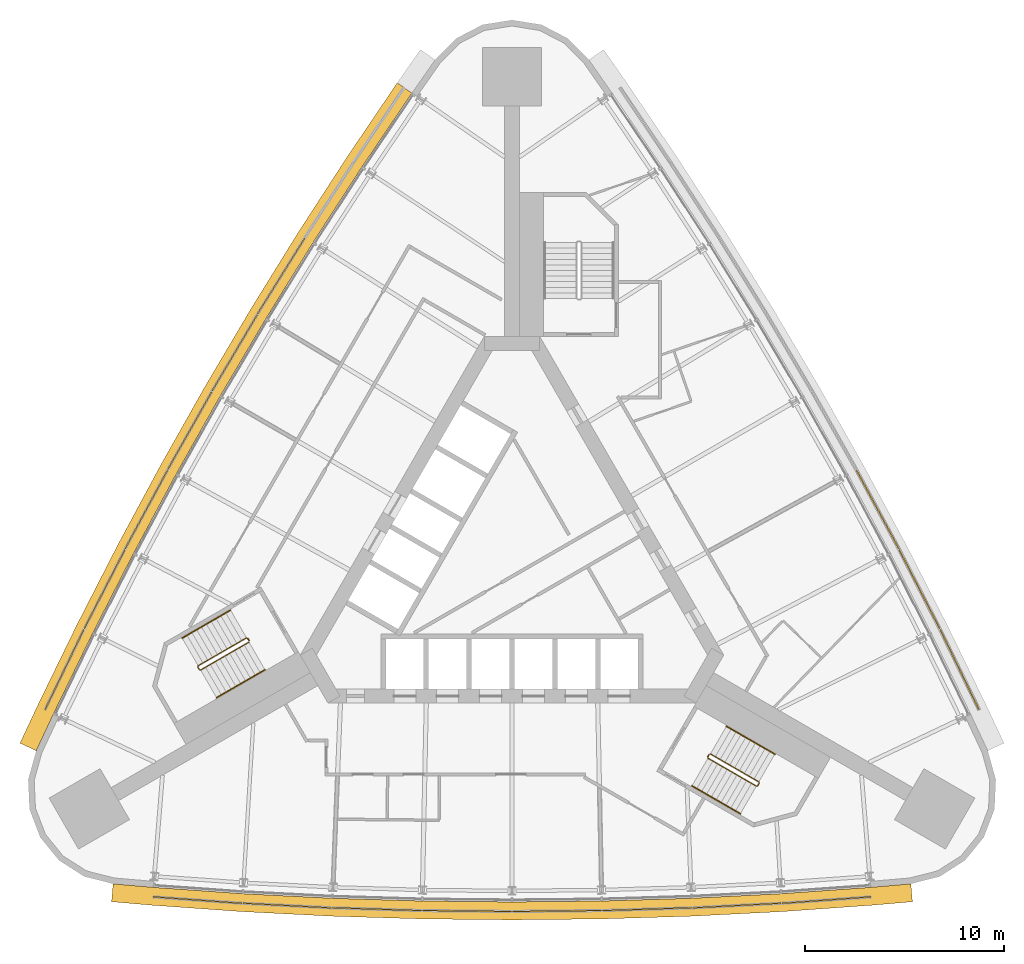
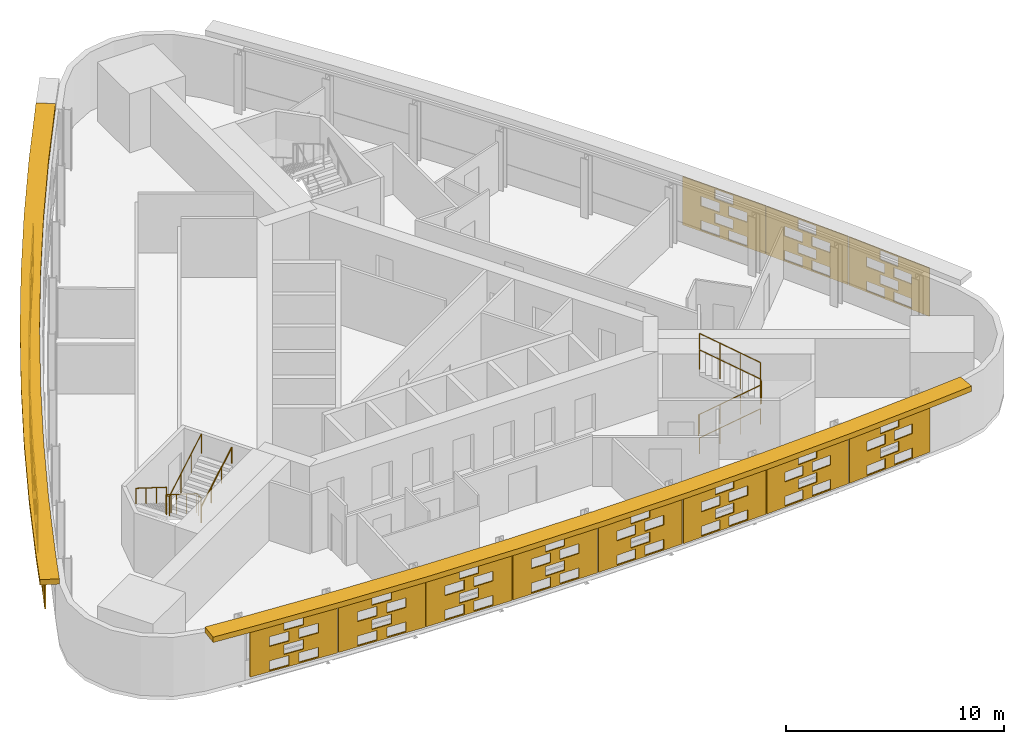
# One storey, part 10 of 11: 19 shading devices, 6 railings.
"""IFC4 building model written with IfcOpenShell, lengths in metres."""

from ifc_helpers import new_model, si_unit, direction, frame, origin, origin_2d, place, context, subcontext, project, spatial, polyline, circle, outline, extrude, material, material_profile, profile_set, type_object, element, save


model = new_model("IFC4")

# Units and contexts
model_context = context("Model", 3, precision=1e-05, world=origin(), true_north=direction((0.0, 1.0)))
body_context = subcontext(model_context, "Body", "Model", "MODEL_VIEW")
ifc_project = project(units=[si_unit("LENGTHUNIT", "METRE"), si_unit("AREAUNIT", "SQUARE_METRE"), si_unit("VOLUMEUNIT", "CUBIC_METRE"), si_unit("PLANEANGLEUNIT", "RADIAN"), si_unit("MASSUNIT", "GRAM", prefix="KILO")], contexts=[model_context])

# Site, building, storey
site_placement = place(None, origin())
site = spatial("IfcSite", under=ifc_project, at=site_placement, CompositionType="ELEMENT")
building_placement = place(site_placement, origin())
building = spatial("IfcBuilding", under=site, at=building_placement, Name="Noor Cloister Tower", CompositionType="ELEMENT")
storey_placement = place(building_placement, frame((0.0, 0.0, 123.89990234375)))
storey = spatial("IfcBuildingStorey", under=building, at=storey_placement, Name="L32", CompositionType="ELEMENT", Elevation=123.89990234375)

# Shading devices
ifc_material_1 = material(Name="Limestone", Category="masonry")
ifc_material_profile = material_profile(ifc_material_1, outline(polyline([(-2.22998046875, -1.35009765625), (2.22998046875, -1.35009765625), (2.22998046875, 1.35009765625), (-2.22998046875, 1.35009765625), (-2.22998046875, -1.35009765625)]), holes=[polyline([(-1.25, -1.282470703125), (-0.25, -1.282470703125), (-0.25, -0.742431640625), (-1.25, -0.742431640625), (-1.25, -1.282470703125)]), polyline([(0.25, -1.282470703125), (1.25, -1.282470703125), (1.25, -0.742431640625), (0.25, -0.742431640625), (0.25, -1.282470703125)]), polyline([(-0.5, -0.607421875), (0.5, -0.607421875), (0.5, -0.0673828125), (-0.5, -0.0673828125), (-0.5, -0.607421875)]), polyline([(-1.25, 0.0673828125), (-0.25, 0.0673828125), (-0.25, 0.607421875), (-1.25, 0.607421875), (-1.25, 0.0673828125)]), polyline([(0.25, 0.0673828125), (1.25, 0.0673828125), (1.25, 0.607421875), (0.25, 0.607421875), (0.25, 0.0673828125)]), polyline([(-0.5, 0.742431640625), (0.5, 0.742431640625), (0.5, 1.282470703125), (-0.5, 1.282470703125), (-0.5, 0.742431640625)])]), Name="Woven screen 30 percent open")
ifc_profile_set = profile_set([ifc_material_profile], Name="Limestone")
shading_device_type_1 = type_object("IfcShadingDeviceType", Name="SCREEN woven limestone 30 percent open", PredefinedType="USERDEFINED", material=ifc_profile_set)
shading_device_1_placement = place(storey_placement, frame((-11.544677734375, 14.4736328125, 1.85009765625), z_axis=(-0.849137590634, 0.528171707093, 0.0), x_axis=(-0.528171707093, -0.849137590634, 0.0)))
element("IfcShadingDevice", 1, at=shading_device_1_placement, inside=storey, type_object=shading_device_type_1, Name="SCREEN L32 3", ObjectType="SCREEN", PredefinedType="USERDEFINED", context=body_context, shape_type="SweptSolid", body=[
    extrude(outline(polyline([(-2.22998046875, -1.35009765625), (2.22998046875, -1.35009765625), (2.22998046875, 1.35009765625), (-2.22998046875, 1.35009765625), (-2.22998046875, -1.35009765625)]), holes=[polyline([(-1.25, -1.282470703125), (-0.25, -1.282470703125), (-0.25, -0.742431640625), (-1.25, -0.742431640625), (-1.25, -1.282470703125)]), polyline([(0.25, -1.282470703125), (1.25, -1.282470703125), (1.25, -0.742431640625), (0.25, -0.742431640625), (0.25, -1.282470703125)]), polyline([(-0.5, -0.607421875), (0.5, -0.607421875), (0.5, -0.0673828125), (-0.5, -0.0673828125), (-0.5, -0.607421875)]), polyline([(-1.25, 0.0673828125), (-0.25, 0.0673828125), (-0.25, 0.607421875), (-1.25, 0.607421875), (-1.25, 0.0673828125)]), polyline([(0.25, 0.0673828125), (1.25, 0.0673828125), (1.25, 0.607421875), (0.25, 0.607421875), (0.25, 0.0673828125)]), polyline([(-0.5, 0.742431640625), (0.5, 0.742431640625), (0.5, 1.282470703125), (-0.5, 1.282470703125), (-0.5, 0.742431640625)])]), origin(), (0.0, 0.0, 1.0), 0.06005859375),
])
shading_device_2_placement = place(storey_placement, frame((-13.8779296875, 10.615478515625, 1.85009765625), z_axis=(-0.860357760281, 0.50969061628, 0.0), x_axis=(-0.50969061628, -0.860357760281, 0.0)))
element("IfcShadingDevice", 2, at=shading_device_2_placement, inside=storey, type_object=shading_device_type_1, Name="SCREEN L32 4", ObjectType="SCREEN", PredefinedType="USERDEFINED", context=body_context, shape_type="SweptSolid", body=[
    extrude(outline(polyline([(-2.22998046875, -1.35009765625), (2.22998046875, -1.35009765625), (2.22998046875, 1.35009765625), (-2.22998046875, 1.35009765625), (-2.22998046875, -1.35009765625)]), holes=[polyline([(-1.25, -1.282470703125), (-0.25, -1.282470703125), (-0.25, -0.742431640625), (-1.25, -0.742431640625), (-1.25, -1.282470703125)]), polyline([(0.25, -1.282470703125), (1.25, -1.282470703125), (1.25, -0.742431640625), (0.25, -0.742431640625), (0.25, -1.282470703125)]), polyline([(-0.5, -0.607421875), (0.5, -0.607421875), (0.5, -0.0673828125), (-0.5, -0.0673828125), (-0.5, -0.607421875)]), polyline([(-1.25, 0.0673828125), (-0.25, 0.0673828125), (-0.25, 0.607421875), (-1.25, 0.607421875), (-1.25, 0.0673828125)]), polyline([(0.25, 0.0673828125), (1.25, 0.0673828125), (1.25, 0.607421875), (0.25, 0.607421875), (0.25, 0.0673828125)]), polyline([(-0.5, 0.742431640625), (0.5, 0.742431640625), (0.5, 1.282470703125), (-0.5, 1.282470703125), (-0.5, 0.742431640625)])]), origin(), (0.0, 0.0, 1.0), 0.059814453125),
])
shading_device_3_placement = place(storey_placement, frame((-16.13232421875, 6.710693359375, 1.85009765625), z_axis=(-0.87048706901, 0.492191286683, 0.0), x_axis=(-0.492191286683, -0.87048706901, 0.0)))
element("IfcShadingDevice", 3, at=shading_device_3_placement, inside=storey, type_object=shading_device_type_1, Name="SCREEN L32 5", ObjectType="SCREEN", PredefinedType="USERDEFINED", context=body_context, shape_type="SweptSolid", body=[
    extrude(outline(polyline([(-2.22998046875, -1.35009765625), (2.22998046875, -1.35009765625), (2.22998046875, 1.35009765625), (-2.22998046875, 1.35009765625), (-2.22998046875, -1.35009765625)]), holes=[polyline([(-1.25, -1.282470703125), (-0.25, -1.282470703125), (-0.25, -0.742431640625), (-1.25, -0.742431640625), (-1.25, -1.282470703125)]), polyline([(0.25, -1.282470703125), (1.25, -1.282470703125), (1.25, -0.742431640625), (0.25, -0.742431640625), (0.25, -1.282470703125)]), polyline([(-0.5, -0.607421875), (0.5, -0.607421875), (0.5, -0.0673828125), (-0.5, -0.0673828125), (-0.5, -0.607421875)]), polyline([(-1.25, 0.0673828125), (-0.25, 0.0673828125), (-0.25, 0.607421875), (-1.25, 0.607421875), (-1.25, 0.0673828125)]), polyline([(0.25, 0.0673828125), (1.25, 0.0673828125), (1.25, 0.607421875), (0.25, 0.607421875), (0.25, 0.0673828125)]), polyline([(-0.5, 0.742431640625), (0.5, 0.742431640625), (0.5, 1.282470703125), (-0.5, 1.282470703125), (-0.5, 0.742431640625)])]), origin(), (0.0, 0.0, 1.0), 0.06005859375),
])
shading_device_4_placement = place(storey_placement, frame((-18.306884765625, 2.760986328125, 1.85009765625), z_axis=(-0.880210472648, 0.474583526727, 0.0), x_axis=(-0.474583526727, -0.880210472648, 0.0)))
element("IfcShadingDevice", 4, at=shading_device_4_placement, inside=storey, type_object=shading_device_type_1, Name="SCREEN L32 6", ObjectType="SCREEN", PredefinedType="USERDEFINED", context=body_context, shape_type="SweptSolid", body=[
    extrude(outline(polyline([(-2.22998046875, -1.35009765625), (2.22998046875, -1.35009765625), (2.22998046875, 1.35009765625), (-2.22998046875, 1.35009765625), (-2.22998046875, -1.35009765625)]), holes=[polyline([(-1.25, -1.282470703125), (-0.25, -1.282470703125), (-0.25, -0.742431640625), (-1.25, -0.742431640625), (-1.25, -1.282470703125)]), polyline([(0.25, -1.282470703125), (1.25, -1.282470703125), (1.25, -0.742431640625), (0.25, -0.742431640625), (0.25, -1.282470703125)]), polyline([(-0.5, -0.607421875), (0.5, -0.607421875), (0.5, -0.0673828125), (-0.5, -0.0673828125), (-0.5, -0.607421875)]), polyline([(-1.25, 0.0673828125), (-0.25, 0.0673828125), (-0.25, 0.607421875), (-1.25, 0.607421875), (-1.25, 0.0673828125)]), polyline([(0.25, 0.0673828125), (1.25, 0.0673828125), (1.25, 0.607421875), (0.25, 0.607421875), (0.25, 0.0673828125)]), polyline([(-0.5, 0.742431640625), (0.5, 0.742431640625), (0.5, 1.282470703125), (-0.5, 1.282470703125), (-0.5, 0.742431640625)])]), origin(), (0.0, 0.0, 1.0), 0.060302734375),
])
shading_device_5_placement = place(storey_placement, frame((-20.401123046875, -1.23193359375, 1.85009765625), z_axis=(-0.88947737876, 0.456979203766, 0.0), x_axis=(-0.456979203766, -0.88947737876, 0.0)))
element("IfcShadingDevice", 5, at=shading_device_5_placement, inside=storey, type_object=shading_device_type_1, Name="SCREEN L32 7", ObjectType="SCREEN", PredefinedType="USERDEFINED", context=body_context, shape_type="SweptSolid", body=[
    extrude(outline(polyline([(-2.22998046875, -1.35009765625), (2.22998046875, -1.35009765625), (2.22998046875, 1.35009765625), (-2.22998046875, 1.35009765625), (-2.22998046875, -1.35009765625)]), holes=[polyline([(-1.25, -1.282470703125), (-0.25, -1.282470703125), (-0.25, -0.742431640625), (-1.25, -0.742431640625), (-1.25, -1.282470703125)]), polyline([(0.25, -1.282470703125), (1.25, -1.282470703125), (1.25, -0.742431640625), (0.25, -0.742431640625), (0.25, -1.282470703125)]), polyline([(-0.5, -0.607421875), (0.5, -0.607421875), (0.5, -0.0673828125), (-0.5, -0.0673828125), (-0.5, -0.607421875)]), polyline([(-1.25, 0.0673828125), (-0.25, 0.0673828125), (-0.25, 0.607421875), (-1.25, 0.607421875), (-1.25, 0.0673828125)]), polyline([(0.25, 0.0673828125), (1.25, 0.0673828125), (1.25, 0.607421875), (0.25, 0.607421875), (0.25, 0.0673828125)]), polyline([(-0.5, 0.742431640625), (0.5, 0.742431640625), (0.5, 1.282470703125), (-0.5, 1.282470703125), (-0.5, 0.742431640625)])]), origin(), (0.0, 0.0, 1.0), 0.059814453125),
])
for number, where, z_axis, x_axis, name in (
    (6, (-22.41357421875, -5.2666015625, 1.85009765625), (-0.900056208046, 0.435773820185, 0.0), (-0.435773820185, -0.900056208046, 0.0), "SCREEN L32 8"),
    (7, (-15.767822265625, -16.777587890625, 1.85009765625), (-0.073271902152, -0.99731200151, 0.0), (0.99731200151, -0.073271902152, 0.0), "SCREEN L32 1"),
    (8, (-11.267333984375, -17.0517578125, 1.85009765625), (-0.052771893118, -0.998606592857, 0.0), (0.998606592857, -0.052771893118, 0.0), "SCREEN L32 2"),
):
    element("IfcShadingDevice", number, at=place(storey_placement, frame(where, z_axis=z_axis, x_axis=x_axis)), inside=storey, type_object=shading_device_type_1, Name=name, ObjectType="SCREEN", PredefinedType="USERDEFINED", context=body_context, shape_type="SweptSolid", body=[
        extrude(outline(polyline([(-2.22998046875, -1.35009765625), (2.22998046875, -1.35009765625), (2.22998046875, 1.35009765625), (-2.22998046875, 1.35009765625), (-2.22998046875, -1.35009765625)]), holes=[polyline([(-1.25, -1.282470703125), (-0.25, -1.282470703125), (-0.25, -0.742431640625), (-1.25, -0.742431640625), (-1.25, -1.282470703125)]), polyline([(0.25, -1.282470703125), (1.25, -1.282470703125), (1.25, -0.742431640625), (0.25, -0.742431640625), (0.25, -1.282470703125)]), polyline([(-0.5, -0.607421875), (0.5, -0.607421875), (0.5, -0.0673828125), (-0.5, -0.0673828125), (-0.5, -0.607421875)]), polyline([(-1.25, 0.0673828125), (-0.25, 0.0673828125), (-0.25, 0.607421875), (-1.25, 0.607421875), (-1.25, 0.0673828125)]), polyline([(0.25, 0.0673828125), (1.25, 0.0673828125), (1.25, 0.607421875), (0.25, 0.607421875), (0.25, 0.0673828125)]), polyline([(-0.5, 0.742431640625), (0.5, 0.742431640625), (0.5, 1.282470703125), (-0.5, 1.282470703125), (-0.5, 0.742431640625)])]), origin(), (0.0, 0.0, 1.0), 0.06005859375),
    ])
for number, where, z_axis, x_axis, name in (
    (9, (-6.76220703125, -17.23486328125, 1.85009765625), (-0.03263566742, -0.999467314729, 0.0), (0.999467314729, -0.03263566742, 0.0), "SCREEN L32 3"),
    (10, (-2.25439453125, -17.326416015625, 1.85009765625), (-0.012243980078, -0.999925039666, 0.0), (0.999925039666, -0.012243980078, 0.0), "SCREEN L32 4"),
    (11, (2.25439453125, -17.326416015625, 1.85009765625), (0.012243980078, -0.999925039666, 0.0), (0.999925039666, 0.012243980078, 0.0), "SCREEN L32 5"),
    (12, (6.76220703125, -17.23486328125, 1.85009765625), (0.03263566742, -0.999467314729, 0.0), (0.999467314729, 0.03263566742, 0.0), "SCREEN L32 6"),
):
    element("IfcShadingDevice", number, at=place(storey_placement, frame(where, z_axis=z_axis, x_axis=x_axis)), inside=storey, type_object=shading_device_type_1, Name=name, ObjectType="SCREEN", PredefinedType="USERDEFINED", context=body_context, shape_type="SweptSolid", body=[
        extrude(outline(polyline([(-2.22998046875, -1.35009765625), (2.22998046875, -1.35009765625), (2.22998046875, 1.35009765625), (-2.22998046875, 1.35009765625), (-2.22998046875, -1.35009765625)]), holes=[polyline([(-1.25, -1.282470703125), (-0.25, -1.282470703125), (-0.25, -0.742431640625), (-1.25, -0.742431640625), (-1.25, -1.282470703125)]), polyline([(0.25, -1.282470703125), (1.25, -1.282470703125), (1.25, -0.742431640625), (0.25, -0.742431640625), (0.25, -1.282470703125)]), polyline([(-0.5, -0.607421875), (0.5, -0.607421875), (0.5, -0.0673828125), (-0.5, -0.0673828125), (-0.5, -0.607421875)]), polyline([(-1.25, 0.0673828125), (-0.25, 0.0673828125), (-0.25, 0.607421875), (-1.25, 0.607421875), (-1.25, 0.0673828125)]), polyline([(0.25, 0.0673828125), (1.25, 0.0673828125), (1.25, 0.607421875), (0.25, 0.607421875), (0.25, 0.0673828125)]), polyline([(-0.5, 0.742431640625), (0.5, 0.742431640625), (0.5, 1.282470703125), (-0.5, 1.282470703125), (-0.5, 0.742431640625)])]), origin(), (0.0, 0.0, 1.0), 0.059814453125),
    ])
for number, where, z_axis, x_axis, name in (
    (13, (11.267333984375, -17.0517578125, 1.85009765625), (0.052771893118, -0.998606592857, 0.0), (0.998606592857, 0.052771893118, 0.0), "SCREEN L32 7"),
    (14, (15.767822265625, -16.777587890625, 1.85009765625), (0.073271902152, -0.99731200151, 0.0), (0.99731200151, 0.073271902152, 0.0), "SCREEN L32 8"),
    (15, (22.41357421875, -5.2666015625, 1.85009765625), (0.900056208046, 0.435773820185, 0.0), (-0.435773820185, 0.900056208046, 0.0), "SCREEN L32 1"),
):
    element("IfcShadingDevice", number, at=place(storey_placement, frame(where, z_axis=z_axis, x_axis=x_axis)), inside=storey, type_object=shading_device_type_1, Name=name, ObjectType="SCREEN", PredefinedType="USERDEFINED", context=body_context, shape_type="SweptSolid", body=[
        extrude(outline(polyline([(-2.22998046875, -1.35009765625), (2.22998046875, -1.35009765625), (2.22998046875, 1.35009765625), (-2.22998046875, 1.35009765625), (-2.22998046875, -1.35009765625)]), holes=[polyline([(-1.25, -1.282470703125), (-0.25, -1.282470703125), (-0.25, -0.742431640625), (-1.25, -0.742431640625), (-1.25, -1.282470703125)]), polyline([(0.25, -1.282470703125), (1.25, -1.282470703125), (1.25, -0.742431640625), (0.25, -0.742431640625), (0.25, -1.282470703125)]), polyline([(-0.5, -0.607421875), (0.5, -0.607421875), (0.5, -0.0673828125), (-0.5, -0.0673828125), (-0.5, -0.607421875)]), polyline([(-1.25, 0.0673828125), (-0.25, 0.0673828125), (-0.25, 0.607421875), (-1.25, 0.607421875), (-1.25, 0.0673828125)]), polyline([(0.25, 0.0673828125), (1.25, 0.0673828125), (1.25, 0.607421875), (0.25, 0.607421875), (0.25, 0.0673828125)]), polyline([(-0.5, 0.742431640625), (0.5, 0.742431640625), (0.5, 1.282470703125), (-0.5, 1.282470703125), (-0.5, 0.742431640625)])]), origin(), (0.0, 0.0, 1.0), 0.06005859375),
    ])
shading_device_6_placement = place(storey_placement, frame((20.401123046875, -1.23193359375, 1.85009765625), z_axis=(0.88947737876, 0.456979203766, 0.0), x_axis=(-0.456979203766, 0.88947737876, 0.0)))
element("IfcShadingDevice", 16, at=shading_device_6_placement, inside=storey, type_object=shading_device_type_1, Name="SCREEN L32 2", ObjectType="SCREEN", PredefinedType="USERDEFINED", context=body_context, shape_type="SweptSolid", body=[
    extrude(outline(polyline([(-2.22998046875, -1.35009765625), (2.22998046875, -1.35009765625), (2.22998046875, 1.35009765625), (-2.22998046875, 1.35009765625), (-2.22998046875, -1.35009765625)]), holes=[polyline([(-1.25, -1.282470703125), (-0.25, -1.282470703125), (-0.25, -0.742431640625), (-1.25, -0.742431640625), (-1.25, -1.282470703125)]), polyline([(0.25, -1.282470703125), (1.25, -1.282470703125), (1.25, -0.742431640625), (0.25, -0.742431640625), (0.25, -1.282470703125)]), polyline([(-0.5, -0.607421875), (0.5, -0.607421875), (0.5, -0.0673828125), (-0.5, -0.0673828125), (-0.5, -0.607421875)]), polyline([(-1.25, 0.0673828125), (-0.25, 0.0673828125), (-0.25, 0.607421875), (-1.25, 0.607421875), (-1.25, 0.0673828125)]), polyline([(0.25, 0.0673828125), (1.25, 0.0673828125), (1.25, 0.607421875), (0.25, 0.607421875), (0.25, 0.0673828125)]), polyline([(-0.5, 0.742431640625), (0.5, 0.742431640625), (0.5, 1.282470703125), (-0.5, 1.282470703125), (-0.5, 0.742431640625)])]), origin(), (0.0, 0.0, 1.0), 0.059814453125),
])
shading_device_7_placement = place(storey_placement, frame((18.306884765625, 2.760986328125, 1.85009765625), z_axis=(0.880210472648, 0.474583526727, 0.0), x_axis=(-0.474583526727, 0.880210472648, 0.0)))
element("IfcShadingDevice", 17, at=shading_device_7_placement, inside=storey, type_object=shading_device_type_1, Name="SCREEN L32 3", ObjectType="SCREEN", PredefinedType="USERDEFINED", context=body_context, shape_type="SweptSolid", body=[
    extrude(outline(polyline([(-2.22998046875, -1.35009765625), (2.22998046875, -1.35009765625), (2.22998046875, 1.35009765625), (-2.22998046875, 1.35009765625), (-2.22998046875, -1.35009765625)]), holes=[polyline([(-1.25, -1.282470703125), (-0.25, -1.282470703125), (-0.25, -0.742431640625), (-1.25, -0.742431640625), (-1.25, -1.282470703125)]), polyline([(0.25, -1.282470703125), (1.25, -1.282470703125), (1.25, -0.742431640625), (0.25, -0.742431640625), (0.25, -1.282470703125)]), polyline([(-0.5, -0.607421875), (0.5, -0.607421875), (0.5, -0.0673828125), (-0.5, -0.0673828125), (-0.5, -0.607421875)]), polyline([(-1.25, 0.0673828125), (-0.25, 0.0673828125), (-0.25, 0.607421875), (-1.25, 0.607421875), (-1.25, 0.0673828125)]), polyline([(0.25, 0.0673828125), (1.25, 0.0673828125), (1.25, 0.607421875), (0.25, 0.607421875), (0.25, 0.0673828125)]), polyline([(-0.5, 0.742431640625), (0.5, 0.742431640625), (0.5, 1.282470703125), (-0.5, 1.282470703125), (-0.5, 0.742431640625)])]), origin(), (0.0, 0.0, 1.0), 0.060302734375),
])
ifc_material_2 = material(Name="Limestone", Category="masonry")
shading_device_type_2 = type_object("IfcShadingDeviceType", Name="SUNSHADE limestone band 900", PredefinedType="USERDEFINED", material=ifc_material_2)
shading_device_8_placement = place(storey_placement, frame((0.0, 0.0, 3.300048828125)))
element("IfcShadingDevice", 18, at=shading_device_8_placement, inside=storey, type_object=shading_device_type_2, Name="SUNSHADE L32 1", ObjectType="SUNSHADE", PredefinedType="USERDEFINED", context=body_context, shape_type="SweptSolid", body=[
    extrude(outline(polyline([(-5.758056640625, 24.159912109375), (-8.2841796875, 20.4248046875), (-10.73876953125, 16.631591796875), (-13.115966796875, 12.789306640625), (-15.41455078125, 8.899658203125), (-17.6337890625, 4.964111328125), (-19.772705078125, 0.984130859375), (-21.83056640625, -3.0380859375), (-23.80517578125, -7.099365234375), (-24.666748046875, -8.93994140625), (-23.851806640625, -9.321533203125), (-22.992919921875, -7.48681640625), (-21.025146484375, -3.43994140625), (-18.9755859375, 0.566162109375), (-16.845458984375, 4.52978515625), (-14.635009765625, 8.449462890625), (-12.345703125, 12.323486328125), (-9.978271484375, 16.150390625), (-7.533447265625, 19.92822265625), (-5.0126953125, 23.65576171875), (-5.758056640625, 24.159912109375)])), origin(), (0.0, 0.0, 1.0), 0.300048828125),
])
shading_device_9_placement = place(storey_placement, frame((0.0, 0.0, 3.300048828125)))
element("IfcShadingDevice", 19, at=shading_device_9_placement, inside=storey, type_object=shading_device_type_2, Name="SUNSHADE L32 2", ObjectType="SUNSHADE", PredefinedType="USERDEFINED", context=body_context, shape_type="SweptSolid", body=[
    extrude(outline(polyline([(-20.07568359375, -16.89208984375), (-18.05078125, -17.066162109375), (-13.54638671875, -17.38671875), (-9.033935546875, -17.61572265625), (-4.51806640625, -17.75341796875), (0.0, -17.79931640625), (4.51806640625, -17.75341796875), (9.033935546875, -17.61572265625), (13.54638671875, -17.38671875), (18.05078125, -17.066162109375), (20.07568359375, -16.89208984375), (19.99853515625, -15.995361328125), (17.980224609375, -16.1689453125), (13.49169921875, -16.48828125), (8.99755859375, -16.716552734375), (4.499755859375, -16.853515625), (0.0, -16.899169921875), (-4.499755859375, -16.853515625), (-8.99755859375, -16.716552734375), (-13.49169921875, -16.48828125), (-17.980224609375, -16.1689453125), (-19.99853515625, -15.995361328125), (-20.07568359375, -16.89208984375)])), origin(), (0.0, 0.0, 1.0), 0.300048828125),
])

# Railings
ifc_material_3 = material(Name="Stainless steel", Category="steel")
railing_type_1 = type_object("IfcRailingType", Name="Stair guard 1100", PredefinedType="GUARDRAIL", material=ifc_material_3)
railing_1_placement = place(storey_placement, frame((-13.241455078125, -3.677734375, 0.0)))
element("IfcRailing", 20, at=railing_1_placement, inside=storey, type_object=railing_type_1, Name="Stair guard ST2 L32", PredefinedType="GUARDRAIL", context=body_context, shape_type="SweptSolid", body=[
    extrude(circle(Radius=0.02392578125, at=origin_2d()), frame((0.0, 0.0, 1.076171875), z_axis=(0.499112439033, -0.866537231285, 0.0), x_axis=(0.866537231285, 0.499112439033, 0.0)), (0.0, 0.0, 1.0), 0.150146484375),
    extrude(circle(Radius=0.02392578125, at=origin_2d()), frame((0.074951171875, -0.130126953125, 1.076171875), z_axis=(-0.544251820729, 0.562795323991, 0.622134534428), x_axis=(-0.718850276695, -0.695164929852, 0.0)), (0.0, 0.0, 1.0), 0.263427734375),
    extrude(circle(Radius=0.02392578125, at=origin_2d()), frame((-0.068359375, 0.01806640625, 1.23974609375), z_axis=(-0.74771821388, -0.431677027627, 0.504551698492), x_axis=(0.49998411664, -0.866034573852, 0.0)), (0.0, 0.0, 1.0), 3.242919921875),
    extrude(circle(Radius=0.02392578125, at=origin_2d()), frame((-2.4931640625, -1.3818359375, 2.8759765625), z_axis=(-0.258736085224, -0.965948051503, 0.0), x_axis=(0.965948051503, -0.258736085224, 0.0)), (0.0, 0.0, 1.0), 0.07080078125),
    extrude(circle(Radius=0.02392578125, at=origin_2d()), frame((-2.511474609375, -1.4501953125, 2.8759765625), z_axis=(0.499816412211, -0.866131372301, 0.0), x_axis=(0.866131372301, 0.499816412211, 0.0)), (0.0, 0.0, 1.0), 0.14990234375),
    extrude(circle(Radius=0.02392578125, at=origin_2d()), frame((-2.4365234375, -1.580078125, 2.8759765625), z_axis=(0.383552647116, -0.102737316192, 0.917786691313), x_axis=(0.258736085224, 0.965948051503, 0.0)), (0.0, 0.0, 1.0), 0.17822265625),
    extrude(circle(Radius=0.02392578125, at=origin_2d()), frame((-2.3681640625, -1.598388671875, 3.03955078125), z_axis=(0.747665513933, 0.431721881032, 0.504591415616), x_axis=(-0.500049511043, 0.865996816683, 0.0)), (0.0, 0.0, 1.0), 3.2431640625),
    extrude(circle(Radius=0.02099609375, at=origin_2d()), origin(), (0.0, 0.0, 1.0), 1.052001953125),
    extrude(circle(Radius=0.02099609375, at=origin_2d()), frame((0.074951171875, -0.130126953125, 0.0)), (0.0, 0.0, 1.0), 1.052001953125),
    extrude(circle(Radius=0.02099609375, at=origin_2d()), frame((-0.068359375, 0.01806640625, 0.163818359375)), (0.0, 0.0, 1.0), 1.052001953125),
    extrude(circle(Radius=0.02099609375, at=origin_2d()), frame((-0.876708984375, -0.448486328125, 0.709228515625)), (0.0, 0.0, 1.0), 1.052001953125),
    extrude(circle(Radius=0.02099609375, at=origin_2d()), frame((-1.684814453125, -0.915283203125, 1.254638671875)), (0.0, 0.0, 1.0), 1.052001953125),
    extrude(circle(Radius=0.02099609375, at=origin_2d()), frame((-2.4931640625, -1.3818359375, 1.800048828125)), (0.0, 0.0, 1.0), 1.052001953125),
    extrude(circle(Radius=0.02099609375, at=origin_2d()), frame((-2.511474609375, -1.4501953125, 1.800048828125)), (0.0, 0.0, 1.0), 1.052001953125),
    extrude(circle(Radius=0.02099609375, at=origin_2d()), frame((-2.4365234375, -1.580078125, 1.800048828125)), (0.0, 0.0, 1.0), 1.052001953125),
    extrude(circle(Radius=0.02099609375, at=origin_2d()), frame((-2.3681640625, -1.598388671875, 1.963623046875)), (0.0, 0.0, 1.0), 1.052001953125),
    extrude(circle(Radius=0.02099609375, at=origin_2d()), frame((-1.559814453125, -1.131591796875, 2.509033203125)), (0.0, 0.0, 1.0), 1.052001953125),
    extrude(circle(Radius=0.02099609375, at=origin_2d()), frame((-0.751708984375, -0.6650390625, 3.0546875)), (0.0, 0.0, 1.0), 1.052001953125),
    extrude(circle(Radius=0.02099609375, at=origin_2d()), frame((0.056640625, -0.1982421875, 3.60009765625)), (0.0, 0.0, 1.0), 1.052001953125),
])
railing_2_placement = place(storey_placement, frame((9.805908203125, -9.628662109375, 0.0)))
element("IfcRailing", 21, at=railing_2_placement, inside=storey, type_object=railing_type_1, Name="Stair guard ST3 L32", PredefinedType="GUARDRAIL", context=body_context, shape_type="SweptSolid", body=[
    extrude(circle(Radius=0.02392578125, at=origin_2d()), frame((0.0, 0.0, 1.076171875), z_axis=(0.499112439033, 0.866537231285, 0.0), x_axis=(-0.866537231285, 0.499112439033, 0.0)), (0.0, 0.0, 1.0), 0.150146484375),
    extrude(circle(Radius=0.02392578125, at=origin_2d()), frame((0.074951171875, 0.130126953125, 1.076171875), z_axis=(-0.215090770512, -0.752817696793, 0.622094426784), x_axis=(0.961523947641, -0.274721127897, 0.0)), (0.0, 0.0, 1.0), 0.263427734375),
    extrude(circle(Radius=0.02392578125, at=origin_2d()), frame((0.018310546875, -0.068115234375, 1.23974609375), z_axis=(0.747693913401, -0.431738279637, 0.504535300807), x_axis=(0.500049511043, 0.865996816683, 0.0)), (0.0, 0.0, 1.0), 3.2431640625),
    extrude(circle(Radius=0.02392578125, at=origin_2d()), frame((2.443115234375, -1.46826171875, 2.8759765625), z_axis=(0.965948051503, 0.258736085224, 0.0), x_axis=(-0.258736085224, 0.965948051503, 0.0)), (0.0, 0.0, 1.0), 0.07080078125),
    extrude(circle(Radius=0.02392578125, at=origin_2d()), frame((2.511474609375, -1.449951171875, 2.8759765625), z_axis=(0.499816412211, 0.866131372301, 0.0), x_axis=(-0.866131372301, 0.499816412211, 0.0)), (0.0, 0.0, 1.0), 0.14990234375),
    extrude(circle(Radius=0.02392578125, at=origin_2d()), frame((2.58642578125, -1.320068359375, 2.8759765625), z_axis=(-0.102737316192, 0.383552647116, 0.917786691313), x_axis=(-0.965948051503, -0.258736085224, 0.0)), (0.0, 0.0, 1.0), 0.17822265625),
    extrude(circle(Radius=0.02392578125, at=origin_2d()), frame((2.568115234375, -1.251708984375, 3.03955078125), z_axis=(-0.747689811644, 0.431660630283, 0.504607813879), x_axis=(-0.49998411664, -0.866034573852, 0.0)), (0.0, 0.0, 1.0), 3.2431640625),
    extrude(circle(Radius=0.02099609375, at=origin_2d()), origin(), (0.0, 0.0, 1.0), 1.052001953125),
    extrude(circle(Radius=0.02099609375, at=origin_2d()), frame((0.074951171875, 0.130126953125, 0.0)), (0.0, 0.0, 1.0), 1.052001953125),
    extrude(circle(Radius=0.02099609375, at=origin_2d()), frame((0.018310546875, -0.068115234375, 0.163818359375)), (0.0, 0.0, 1.0), 1.052001953125),
    extrude(circle(Radius=0.02099609375, at=origin_2d()), frame((0.82666015625, -0.534912109375, 0.709228515625)), (0.0, 0.0, 1.0), 1.052001953125),
    extrude(circle(Radius=0.02099609375, at=origin_2d()), frame((1.634765625, -1.00146484375, 1.254638671875)), (0.0, 0.0, 1.0), 1.052001953125),
    extrude(circle(Radius=0.02099609375, at=origin_2d()), frame((2.443115234375, -1.46826171875, 1.800048828125)), (0.0, 0.0, 1.0), 1.052001953125),
    extrude(circle(Radius=0.02099609375, at=origin_2d()), frame((2.511474609375, -1.449951171875, 1.800048828125)), (0.0, 0.0, 1.0), 1.052001953125),
    extrude(circle(Radius=0.02099609375, at=origin_2d()), frame((2.58642578125, -1.320068359375, 1.800048828125)), (0.0, 0.0, 1.0), 1.052001953125),
    extrude(circle(Radius=0.02099609375, at=origin_2d()), frame((2.568115234375, -1.251708984375, 1.963623046875)), (0.0, 0.0, 1.0), 1.052001953125),
    extrude(circle(Radius=0.02099609375, at=origin_2d()), frame((1.759765625, -0.78515625, 2.509033203125)), (0.0, 0.0, 1.0), 1.052001953125),
    extrude(circle(Radius=0.02099609375, at=origin_2d()), frame((0.95166015625, -0.318359375, 3.0546875)), (0.0, 0.0, 1.0), 1.052001953125),
    extrude(circle(Radius=0.02099609375, at=origin_2d()), frame((0.143310546875, 0.148193359375, 3.60009765625)), (0.0, 0.0, 1.0), 1.052001953125),
])
ifc_material_4 = material(Name="Stainless steel", Category="steel")
railing_type_2 = type_object("IfcRailingType", Name="Stair handrail 900", PredefinedType="HANDRAIL", material=ifc_material_4)
railing_3_placement = place(storey_placement, frame((-14.10986328125, -2.27392578125, 0.163818359375)))
element("IfcRailing", 22, at=railing_3_placement, inside=storey, type_object=railing_type_2, Name="Stair handrail ST2 L32 1", PredefinedType="HANDRAIL", context=body_context, shape_type="SweptSolid", body=[
    extrude(circle(Radius=0.02392578125, at=origin_2d()), frame((0.0, 0.0, 0.8759765625), z_axis=(-0.74771821388, -0.431677027627, 0.504551698492), x_axis=(0.49998411664, -0.866034573852, 0.0)), (0.0, 0.0, 1.0), 3.242919921875),
    extrude(circle(Radius=0.02099609375, at=origin_2d()), origin(), (0.0, 0.0, 1.0), 0.851806640625),
    extrude(circle(Radius=0.02099609375, at=origin_2d()), frame((-0.808349609375, -0.466552734375, 0.54541015625)), (0.0, 0.0, 1.0), 0.851806640625),
    extrude(circle(Radius=0.02099609375, at=origin_2d()), frame((-1.616455078125, -0.933349609375, 1.0908203125)), (0.0, 0.0, 1.0), 0.851806640625),
    extrude(circle(Radius=0.02099609375, at=origin_2d()), frame((-2.4248046875, -1.39990234375, 1.63623046875)), (0.0, 0.0, 1.0), 0.851806640625),
])
railing_4_placement = place(storey_placement, frame((-14.8095703125, -6.66162109375, 1.963623046875)))
element("IfcRailing", 23, at=railing_4_placement, inside=storey, type_object=railing_type_2, Name="Stair handrail ST2 L32 2", PredefinedType="HANDRAIL", context=body_context, shape_type="SweptSolid", body=[
    extrude(circle(Radius=0.02392578125, at=origin_2d()), frame((0.0, 0.0, 0.8759765625), z_axis=(0.747689811644, 0.431660630283, 0.504607813879), x_axis=(-0.49998411664, 0.866034573852, 0.0)), (0.0, 0.0, 1.0), 3.2431640625),
    extrude(circle(Radius=0.02099609375, at=origin_2d()), origin(), (0.0, 0.0, 1.0), 0.851806640625),
    extrude(circle(Radius=0.02099609375, at=origin_2d()), frame((0.808349609375, 0.466552734375, 0.54541015625)), (0.0, 0.0, 1.0), 0.851806640625),
    extrude(circle(Radius=0.02099609375, at=origin_2d()), frame((1.616455078125, 0.933349609375, 1.091064453125)), (0.0, 0.0, 1.0), 0.851806640625),
    extrude(circle(Radius=0.02099609375, at=origin_2d()), frame((2.4248046875, 1.39990234375, 1.636474609375)), (0.0, 0.0, 1.0), 0.851806640625),
])
railing_5_placement = place(storey_placement, frame((9.024169921875, -11.08251953125, 0.163818359375)))
element("IfcRailing", 24, at=railing_5_placement, inside=storey, type_object=railing_type_2, Name="Stair handrail ST3 L32 1", PredefinedType="HANDRAIL", context=body_context, shape_type="SweptSolid", body=[
    extrude(circle(Radius=0.02392578125, at=origin_2d()), frame((0.0, 0.0, 0.8759765625), z_axis=(0.74771821388, -0.431677027627, 0.504551698492), x_axis=(0.49998411664, 0.866034573852, 0.0)), (0.0, 0.0, 1.0), 3.242919921875),
    extrude(circle(Radius=0.02099609375, at=origin_2d()), origin(), (0.0, 0.0, 1.0), 0.851806640625),
    extrude(circle(Radius=0.02099609375, at=origin_2d()), frame((0.808349609375, -0.466552734375, 0.54541015625)), (0.0, 0.0, 1.0), 0.851806640625),
    extrude(circle(Radius=0.02099609375, at=origin_2d()), frame((1.616455078125, -0.933349609375, 1.0908203125)), (0.0, 0.0, 1.0), 0.851806640625),
    extrude(circle(Radius=0.02099609375, at=origin_2d()), frame((2.4248046875, -1.39990234375, 1.63623046875)), (0.0, 0.0, 1.0), 0.851806640625),
])
railing_6_placement = place(storey_placement, frame((13.174072265625, -9.49462890625, 1.963623046875)))
element("IfcRailing", 25, at=railing_6_placement, inside=storey, type_object=railing_type_2, Name="Stair handrail ST3 L32 2", PredefinedType="HANDRAIL", context=body_context, shape_type="SweptSolid", body=[
    extrude(circle(Radius=0.02392578125, at=origin_2d()), frame((0.0, 0.0, 0.8759765625), z_axis=(-0.747689811644, 0.431660630283, 0.504607813879), x_axis=(-0.49998411664, -0.866034573852, 0.0)), (0.0, 0.0, 1.0), 3.2431640625),
    extrude(circle(Radius=0.02099609375, at=origin_2d()), origin(), (0.0, 0.0, 1.0), 0.851806640625),
    extrude(circle(Radius=0.02099609375, at=origin_2d()), frame((-0.808349609375, 0.466552734375, 0.54541015625)), (0.0, 0.0, 1.0), 0.851806640625),
    extrude(circle(Radius=0.02099609375, at=origin_2d()), frame((-1.616455078125, 0.933349609375, 1.091064453125)), (0.0, 0.0, 1.0), 0.851806640625),
    extrude(circle(Radius=0.02099609375, at=origin_2d()), frame((-2.4248046875, 1.39990234375, 1.636474609375)), (0.0, 0.0, 1.0), 0.851806640625),
])

save(model, "model.ifc")
